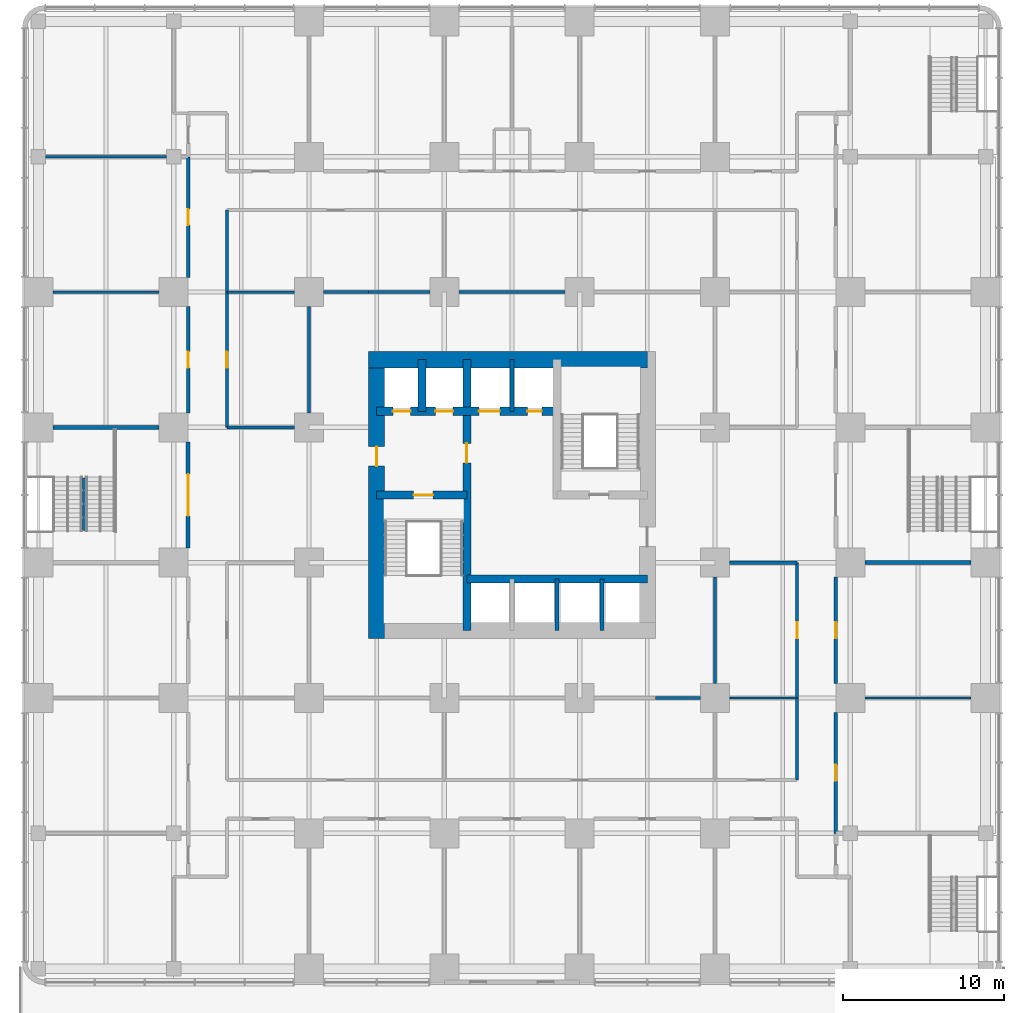
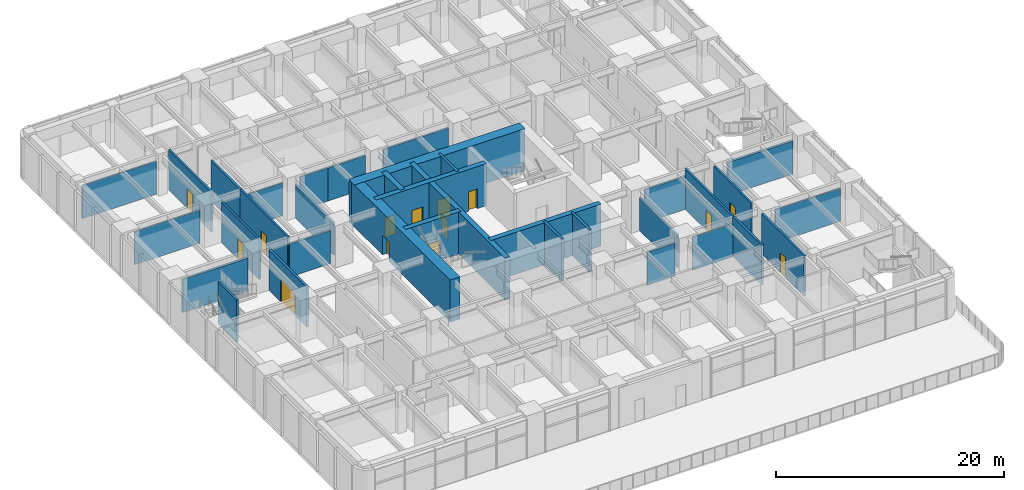
# One storey, part 11 of 19: 35 walls, 14 doors, 14 openings.
"""IFC4 building model written with IfcOpenShell, lengths in metres."""

from ifc_helpers import new_model, si_unit, direction, frame, frame_2d, origin, place, context, subcontext, project, spatial, rectangle, extrude, material, layer, layer_set, type_object, element, fill, save


model = new_model("IFC4")

# Units and contexts
model_context = context("Model", 3, precision=1e-05, world=origin(), true_north=direction((0.0, 1.0)))
body_context = subcontext(model_context, "Body", "Model", "MODEL_VIEW")
ifc_project = project(units=[si_unit("LENGTHUNIT", "METRE"), si_unit("AREAUNIT", "SQUARE_METRE"), si_unit("VOLUMEUNIT", "CUBIC_METRE"), si_unit("PLANEANGLEUNIT", "RADIAN"), si_unit("MASSUNIT", "GRAM", prefix="KILO")], contexts=[model_context])

# Site, building, storey
site_placement = place(None, origin())
site = spatial("IfcSite", under=ifc_project, at=site_placement, CompositionType="ELEMENT")
building_placement = place(site_placement, origin())
building = spatial("IfcBuilding", under=site, at=building_placement, Name="Torre Alcanfor", CompositionType="ELEMENT")
storey_placement = place(building_placement, frame((0.0, 0.0, 15.0)))
storey = spatial("IfcBuildingStorey", under=building, at=storey_placement, Name="L03", CompositionType="ELEMENT", Elevation=15.0)

# Walls
ifc_material_1 = material(Name="Concrete block masonry, hollow blocks NMX-C-404 9 MPa", Category="masonry")
ifc_layer_1 = layer(ifc_material_1, 0.14990234375)
ifc_layer_set_1 = layer_set([ifc_layer_1], Name="Classroom partition 150")
wall_type_1 = type_object("IfcWallType", Name="Classroom partition 150", PredefinedType="PARTITIONING", material=ifc_layer_set_1)
wall_1_placement = place(storey_placement, frame((51.300048828125, 16.800048828125, 0.0), z_axis=(0.0, 0.0, 1.0), x_axis=(1.0, 0.0, 0.0)))
element("IfcWall", 1, at=wall_1_placement, inside=storey, type_object=wall_type_1, Name="Partition L03-09 / L03-11", PredefinedType="PARTITIONING", context=body_context, shape_type="SweptSolid", body=[
    extrude(rectangle(XDim=6.599853515625, YDim=0.14990234375, at=frame_2d((3.2998046875, 0.0))), origin(), (0.0, 0.0, 1.0), 3.543212890625),
])
wall_2_placement = place(storey_placement, frame((0.89990234375, 42.0, 0.0), z_axis=(0.0, 0.0, 1.0), x_axis=(1.0, 0.0, 0.0)))
element("IfcWall", 2, at=wall_2_placement, inside=storey, type_object=wall_type_1, Name="Partition L03-12 / L03-14", PredefinedType="PARTITIONING", context=body_context, shape_type="SweptSolid", body=[
    extrude(rectangle(XDim=6.60009765625, YDim=0.14990234375, at=frame_2d((3.300048828125, 0.0))), origin(), (0.0, 0.0, 1.0), 3.543212890625),
])
wall_3_placement = place(storey_placement, frame((0.449951171875, 50.39990234375, 0.0), z_axis=(0.0, 0.0, 1.0), x_axis=(1.0, 0.0, 0.0)))
element("IfcWall", 3, at=wall_3_placement, inside=storey, type_object=wall_type_1, Name="Partition L03-14 / L03-18", PredefinedType="PARTITIONING", context=body_context, shape_type="SweptSolid", body=[
    extrude(rectangle(XDim=7.5, YDim=0.14990234375, at=frame_2d((3.75, 0.0))), origin(), (0.0, 0.0, 1.0), 3.543212890625),
])
wall_4_placement = place(storey_placement, frame((42.89990234375, 16.800048828125, 0.0), z_axis=(0.0, 0.0, 1.0), x_axis=(1.0, 0.0, 0.0)))
element("IfcWall", 4, at=wall_4_placement, inside=storey, type_object=wall_type_1, Name="Partition L03-I03 / L03-I05", PredefinedType="PARTITIONING", context=body_context, shape_type="SweptSolid", body=[
    extrude(rectangle(XDim=4.2001953125, YDim=0.14990234375, at=frame_2d((2.10009765625, 0.0))), origin(), (0.0, 0.0, 1.0), 3.543212890625),
])
wall_5_placement = place(storey_placement, frame((11.699951171875, 42.0, 0.0), z_axis=(0.0, 0.0, 1.0), x_axis=(1.0, 0.0, 0.0)))
element("IfcWall", 5, at=wall_5_placement, inside=storey, type_object=wall_type_1, Name="Partition L03-I06 / L03-I08", PredefinedType="PARTITIONING", context=body_context, shape_type="SweptSolid", body=[
    extrude(rectangle(XDim=4.199951171875, YDim=0.14990234375, at=frame_2d((2.10009765625, 0.0))), origin(), (0.0, 0.0, 1.0), 3.543212890625),
])

# Wall, opening, door
ifc_material_2 = material(Name="Concrete f'c 70 MPa", Category="concrete")
ifc_layer_2 = layer(ifc_material_2, 0.5)
ifc_layer_set_2 = layer_set([ifc_layer_2], Name="Core inner wall 500 f'c70")
wall_type_2 = type_object("IfcWallType", Name="Core inner wall 500 f'c70", PredefinedType="SHEAR", material=ifc_layer_set_2)
wall_6_placement = place(storey_placement, frame((26.60009765625, 21.0, 0.0), z_axis=(0.0, 0.0, 1.0), x_axis=(0.0, 1.0, 0.0)))
wall_6 = element("IfcWall", 6, at=wall_6_placement, inside=storey, type_object=wall_type_2, Name="Core wall X266 L03", PredefinedType="SHEAR", context=body_context, shape_type="SweptSolid", body=[
    extrude(rectangle(XDim=16.800048828125, YDim=0.5, at=frame_2d((8.39990234375, 0.0))), origin(), (0.0, 0.0, 1.0), 4.5),
])
opening_1_placement = place(wall_6_placement, frame((10.39990234375, 0.0, 0.0)))
opening_1 = element("IfcOpeningElement", 7, at=opening_1_placement, cuts=wall_6, Name="Opening D-L1", PredefinedType="OPENING", context=body_context, shape_type="SweptSolid", body=[
    extrude(rectangle(XDim=1.199951171875, YDim=2.10009765625, at=frame_2d((0.60009765625, 1.050048828125))), frame((0.0, 0.260009765625, 0.0), z_axis=(0.0, -1.0, 0.0), x_axis=(1.0, 0.0, 0.0)), (0.0, 0.0, 1.0), 0.52001953125),
])
ifc_material_3 = material(Name="Galvanised steel sheet ASTM A653", Category="steel")
door_type_1 = type_object("IfcDoorType", Name="Lobby door FD120 1200x2100", OperationType="SINGLE_SWING_LEFT", PredefinedType="DOOR", material=ifc_material_3)
door_1_placement = place(opening_1_placement, origin())
door_1 = element("IfcDoor", 8, at=door_1_placement, inside=storey, type_object=door_type_1, Name="Lift lobby door L03", OperationType="SINGLE_SWING_LEFT", OverallHeight=2.10009765625, OverallWidth=1.199951171875, PredefinedType="DOOR", context=body_context, shape_type="SweptSolid", body=[
    extrude(rectangle(XDim=1.199951171875, YDim=2.10009765625, at=frame_2d((0.60009765625, 1.050048828125))), frame((0.0, 0.02490234375, 0.0), z_axis=(0.0, -1.0, 0.0), x_axis=(1.0, 0.0, 0.0)), (0.0, 0.0, 1.0), 0.050048828125),
])
fill(opening_1, door_1)

wall_7_placement = place(storey_placement, frame((21.0, 29.39990234375, 0.0), z_axis=(0.0, 0.0, 1.0), x_axis=(1.0, 0.0, 0.0)))
wall_7 = element("IfcWall", 9, at=wall_7_placement, inside=storey, type_object=wall_type_2, Name="Core wall Y294W L03", PredefinedType="SHEAR", context=body_context, shape_type="SweptSolid", body=[
    extrude(rectangle(XDim=5.60009765625, YDim=0.5, at=frame_2d((2.800048828125, 0.0))), origin(), (0.0, 0.0, 1.0), 4.5),
])
opening_2_placement = place(wall_7_placement, frame((2.300048828125, 0.0, 0.0)))
opening_2 = element("IfcOpeningElement", 10, at=opening_2_placement, cuts=wall_7, Name="Opening D-S2", PredefinedType="OPENING", context=body_context, shape_type="SweptSolid", body=[
    extrude(rectangle(XDim=1.199951171875, YDim=2.10009765625, at=frame_2d((0.60009765625, 1.050048828125))), frame((0.0, 0.260009765625, 0.0), z_axis=(0.0, -1.0, 0.0), x_axis=(1.0, 0.0, 0.0)), (0.0, 0.0, 1.0), 0.52001953125),
])
ifc_material_4 = material(Name="Galvanised steel sheet ASTM A653", Category="steel")
door_type_2 = type_object("IfcDoorType", Name="Stair enclosure door FD120 1200x2100", OperationType="SINGLE_SWING_LEFT", PredefinedType="DOOR", material=ifc_material_4)
door_2_placement = place(opening_2_placement, frame((1.199951171875, 0.0, 0.0), z_axis=(0.0, 0.0, 1.0), x_axis=(-1.0, 0.0, 0.0)))
door_2 = element("IfcDoor", 11, at=door_2_placement, inside=storey, type_object=door_type_2, Name="Stair S1 door L03", OperationType="SINGLE_SWING_LEFT", OverallHeight=2.10009765625, OverallWidth=1.199951171875, PredefinedType="DOOR", context=body_context, shape_type="SweptSolid", body=[
    extrude(rectangle(XDim=1.199951171875, YDim=2.10009765625, at=frame_2d((0.599853515625, 1.050048828125))), frame((0.0, 0.025146484375, 0.0), z_axis=(0.0, -1.0, 0.0), x_axis=(1.0, 0.0, 0.0)), (0.0, 0.0, 1.0), 0.050048828125),
])
fill(opening_2, door_2)

# Wall, openings, doors
wall_8_placement = place(storey_placement, frame((21.0, 34.60009765625, 0.0), z_axis=(0.0, 0.0, 1.0), x_axis=(1.0, 0.0, 0.0)))
wall_8 = element("IfcWall", 12, at=wall_8_placement, inside=storey, type_object=wall_type_2, Name="Core wall Y346 L03", PredefinedType="SHEAR", context=body_context, shape_type="SweptSolid", body=[
    extrude(rectangle(XDim=11.199951171875, YDim=0.5, at=frame_2d((5.60009765625, 0.0))), origin(), (0.0, 0.0, 1.0), 4.5),
])
opening_3_placement = place(wall_8_placement, frame((9.35009765625, 0.0, 0.0)))
opening_3 = element("IfcOpeningElement", 13, at=opening_3_placement, cuts=wall_8, Name="Opening D-Q1", PredefinedType="OPENING", context=body_context, shape_type="SweptSolid", body=[
    extrude(rectangle(XDim=0.89990234375, YDim=2.10009765625, at=frame_2d((0.449951171875, 1.050048828125))), frame((0.0, 0.260009765625, 0.0), z_axis=(0.0, -1.0, 0.0), x_axis=(1.0, 0.0, 0.0)), (0.0, 0.0, 1.0), 0.52001953125),
])
opening_4_placement = place(wall_8_placement, frame((1.0, 0.0, 0.0)))
opening_4 = element("IfcOpeningElement", 14, at=opening_4_placement, cuts=wall_8, Name="Opening LD2", PredefinedType="OPENING", context=body_context, shape_type="SweptSolid", body=[
    extrude(rectangle(XDim=1.10009765625, YDim=2.10009765625, at=frame_2d((0.550048828125, 1.050048828125))), frame((0.0, 0.260009765625, 0.0), z_axis=(0.0, -1.0, 0.0), x_axis=(1.0, 0.0, 0.0)), (0.0, 0.0, 1.0), 0.52001953125),
])
opening_5_placement = place(wall_8_placement, frame((3.64990234375, 0.0, 0.0)))
opening_5 = element("IfcOpeningElement", 15, at=opening_5_placement, cuts=wall_8, Name="Opening LD2", PredefinedType="OPENING", context=body_context, shape_type="SweptSolid", body=[
    extrude(rectangle(XDim=1.10009765625, YDim=2.10009765625, at=frame_2d((0.550048828125, 1.050048828125))), frame((0.0, 0.260009765625, 0.0), z_axis=(0.0, -1.0, 0.0), x_axis=(1.0, 0.0, 0.0)), (0.0, 0.0, 1.0), 0.52001953125),
])
opening_6_placement = place(wall_8_placement, frame((6.35009765625, 0.0, 0.0)))
opening_6 = element("IfcOpeningElement", 16, at=opening_6_placement, cuts=wall_8, Name="Opening LD3", PredefinedType="OPENING", context=body_context, shape_type="SweptSolid", body=[
    extrude(rectangle(XDim=1.300048828125, YDim=2.10009765625, at=frame_2d((0.64990234375, 1.050048828125))), frame((0.0, 0.260009765625, 0.0), z_axis=(0.0, -1.0, 0.0), x_axis=(1.0, 0.0, 0.0)), (0.0, 0.0, 1.0), 0.52001953125),
])
ifc_material_5 = material(Name="Galvanised steel sheet ASTM A653", Category="steel")
door_type_3 = type_object("IfcDoorType", Name="Firefighting lift landing door 1100x2100", OperationType="DOUBLE_DOOR_SLIDING", PredefinedType="DOOR", material=ifc_material_5)
door_3_placement = place(opening_4_placement, origin())
door_3 = element("IfcDoor", 17, at=door_3_placement, inside=storey, type_object=door_type_3, Name="Lift landing door FL1 L03", OperationType="DOUBLE_DOOR_SLIDING", OverallHeight=2.10009765625, OverallWidth=1.10009765625, PredefinedType="DOOR", context=body_context, shape_type="SweptSolid", body=[
    extrude(rectangle(XDim=1.10009765625, YDim=2.10009765625, at=frame_2d((0.550048828125, 1.050048828125))), frame((0.0, 0.02490234375, 0.0), z_axis=(0.0, -1.0, 0.0), x_axis=(1.0, 0.0, 0.0)), (0.0, 0.0, 1.0), 0.050048828125),
])
fill(opening_4, door_3)
door_4_placement = place(opening_5_placement, origin())
door_4 = element("IfcDoor", 18, at=door_4_placement, inside=storey, type_object=door_type_3, Name="Lift landing door FL2 L03", OperationType="DOUBLE_DOOR_SLIDING", OverallHeight=2.10009765625, OverallWidth=1.10009765625, PredefinedType="DOOR", context=body_context, shape_type="SweptSolid", body=[
    extrude(rectangle(XDim=1.10009765625, YDim=2.10009765625, at=frame_2d((0.550048828125, 1.050048828125))), frame((0.0, 0.02490234375, 0.0), z_axis=(0.0, -1.0, 0.0), x_axis=(1.0, 0.0, 0.0)), (0.0, 0.0, 1.0), 0.050048828125),
])
fill(opening_5, door_4)
ifc_material_6 = material(Name="Galvanised steel sheet ASTM A653", Category="steel")
door_type_4 = type_object("IfcDoorType", Name="Riser access door FD120 900x2100", OperationType="SINGLE_SWING_LEFT", PredefinedType="DOOR", material=ifc_material_6)
door_5_placement = place(opening_3_placement, origin())
door_5 = element("IfcDoor", 19, at=door_5_placement, inside=storey, type_object=door_type_4, Name="Riser door L03", OperationType="SINGLE_SWING_LEFT", OverallHeight=2.10009765625, OverallWidth=0.89990234375, PredefinedType="DOOR", context=body_context, shape_type="SweptSolid", body=[
    extrude(rectangle(XDim=0.89990234375, YDim=2.10009765625, at=frame_2d((0.449951171875, 1.050048828125))), frame((0.0, 0.02490234375, 0.0), z_axis=(0.0, -1.0, 0.0), x_axis=(1.0, 0.0, 0.0)), (0.0, 0.0, 1.0), 0.050048828125),
])
fill(opening_3, door_5)
ifc_material_7 = material(Name="Galvanised steel sheet ASTM A653", Category="steel")
door_type_5 = type_object("IfcDoorType", Name="Service lift landing door 1300x2100", OperationType="DOUBLE_DOOR_SLIDING", PredefinedType="DOOR", material=ifc_material_7)
door_6_placement = place(opening_6_placement, origin())
door_6 = element("IfcDoor", 20, at=door_6_placement, inside=storey, type_object=door_type_5, Name="Lift landing door SL1 L03", OperationType="DOUBLE_DOOR_SLIDING", OverallHeight=2.10009765625, OverallWidth=1.300048828125, PredefinedType="DOOR", context=body_context, shape_type="SweptSolid", body=[
    extrude(rectangle(XDim=1.300048828125, YDim=2.10009765625, at=frame_2d((0.64990234375, 1.050048828125))), frame((0.0, 0.02490234375, 0.0), z_axis=(0.0, -1.0, 0.0), x_axis=(1.0, 0.0, 0.0)), (0.0, 0.0, 1.0), 0.050048828125),
])
fill(opening_6, door_6)

# Walls
wall_9_placement = place(storey_placement, frame((23.800048828125, 34.60009765625, 0.0), z_axis=(0.0, 0.0, 1.0), x_axis=(0.0, 1.0, 0.0)))
element("IfcWall", 21, at=wall_9_placement, inside=storey, type_object=wall_type_2, Name="Core wall X238 L03", PredefinedType="SHEAR", context=body_context, shape_type="SweptSolid", body=[
    extrude(rectangle(XDim=3.199951171875, YDim=0.5, at=frame_2d((1.60009765625, 0.0))), origin(), (0.0, 0.0, 1.0), 4.5),
])
wall_10_placement = place(storey_placement, frame((26.60009765625, 24.199951171875, 0.0), z_axis=(0.0, 0.0, 1.0), x_axis=(1.0, 0.0, 0.0)))
element("IfcWall", 22, at=wall_10_placement, inside=storey, type_object=wall_type_2, Name="Core wall Y242 L03", PredefinedType="SHEAR", context=body_context, shape_type="SweptSolid", body=[
    extrude(rectangle(XDim=11.199951171875, YDim=0.5, at=frame_2d((5.60009765625, 0.0))), origin(), (0.0, 0.0, 1.0), 4.5),
])
ifc_material_8 = material(Name="Concrete f'c 70 MPa", Category="concrete")
ifc_layer_3 = layer(ifc_material_8, 0.25)
ifc_layer_set_3 = layer_set([ifc_layer_3], Name="Core shaft wall 250 f'c70")
wall_type_3 = type_object("IfcWallType", Name="Core shaft wall 250 f'c70", PredefinedType="SHEAR", material=ifc_layer_set_3)
for number, where, z_axis, x_axis, name in (
    (23, (32.199951171875, 21.0, 0.0), (0.0, 0.0, 1.0), (0.0, 1.0, 0.0), "Core wall X322S L03"),
    (24, (35.0, 21.0, 0.0), (0.0, 0.0, 1.0), (0.0, 1.0, 0.0), "Core wall X350S L03"),
    (25, (29.39990234375, 34.60009765625, 0.0), (0.0, 0.0, 1.0), (0.0, 1.0, 0.0), "Core wall X294N L03"),
):
    element("IfcWall", number, at=place(storey_placement, frame(where, z_axis=z_axis, x_axis=x_axis)), inside=storey, type_object=wall_type_3, Name=name, PredefinedType="SHEAR", context=body_context, shape_type="SweptSolid", body=[
        extrude(rectangle(XDim=3.199951171875, YDim=0.25, at=frame_2d((1.60009765625, 0.0))), origin(), (0.0, 0.0, 1.0), 4.5),
    ])
ifc_material_9 = material(Name="Concrete f'c 70 MPa", Category="concrete")
ifc_layer_4 = layer(ifc_material_9, 1.0)
ifc_layer_set_4 = layer_set([ifc_layer_4], Name="Core wall 1000 f'c70")
wall_type_4 = type_object("IfcWallType", Name="Core wall 1000 f'c70", PredefinedType="SHEAR", material=ifc_layer_set_4)
wall_11_placement = place(storey_placement, frame((37.800048828125, 37.800048828125, 0.0), z_axis=(0.0, 0.0, 1.0), x_axis=(-1.0, 0.0, 0.0)))
element("IfcWall", 26, at=wall_11_placement, inside=storey, type_object=wall_type_4, Name="Core wall OUT-N L03", PredefinedType="SHEAR", context=body_context, shape_type="SweptSolid", body=[
    extrude(rectangle(XDim=17.300048828125, YDim=1.0, at=frame_2d((8.64990234375, 0.0))), origin(), (0.0, 0.0, 1.0), 4.5),
])

# Wall, opening, door
wall_12_placement = place(storey_placement, frame((21.0, 37.800048828125, 0.0), z_axis=(0.0, 0.0, 1.0), x_axis=(0.0, -1.0, 0.0)))
wall_12 = element("IfcWall", 27, at=wall_12_placement, inside=storey, type_object=wall_type_4, Name="Core wall OUT-W L03", PredefinedType="SHEAR", context=body_context, shape_type="SweptSolid", body=[
    extrude(rectangle(XDim=17.300048828125, YDim=1.0, at=frame_2d((8.64990234375, 0.0))), origin(), (0.0, 0.0, 1.0), 4.5),
])
opening_7_placement = place(wall_12_placement, frame((5.39990234375, 0.0, 0.0)))
opening_7 = element("IfcOpeningElement", 28, at=opening_7_placement, cuts=wall_12, Name="Opening D-L1", PredefinedType="OPENING", context=body_context, shape_type="SweptSolid", body=[
    extrude(rectangle(XDim=1.199951171875, YDim=2.10009765625, at=frame_2d((0.60009765625, 1.050048828125))), frame((0.0, 0.510009765625, 0.0), z_axis=(0.0, -1.0, 0.0), x_axis=(1.0, 0.0, 0.0)), (0.0, 0.0, 1.0), 1.02001953125),
])
door_7_placement = place(opening_7_placement, origin())
door_7 = element("IfcDoor", 29, at=door_7_placement, inside=storey, type_object=door_type_1, Name="Firefighting lobby door L03", OperationType="SINGLE_SWING_LEFT", OverallHeight=2.10009765625, OverallWidth=1.199951171875, PredefinedType="DOOR", context=body_context, shape_type="SweptSolid", body=[
    extrude(rectangle(XDim=1.199951171875, YDim=2.10009765625, at=frame_2d((0.60009765625, 1.050048828125))), frame((0.0, 0.02490234375, 0.0), z_axis=(0.0, -1.0, 0.0), x_axis=(1.0, 0.0, 0.0)), (0.0, 0.0, 1.0), 0.050048828125),
])
fill(opening_7, door_7)

ifc_material_10 = material(Name="Concrete block masonry, hollow blocks NMX-C-404 9 MPa", Category="masonry")
ifc_layer_5 = layer(ifc_material_10, 0.199951171875)
ifc_layer_set_5 = layer_set([ifc_layer_5], Name="School corridor wall 200")
wall_type_5 = type_object("IfcWallType", Name="School corridor wall 200", PredefinedType="PARTITIONING", material=ifc_layer_set_5)
wall_13_placement = place(storey_placement, frame((49.5, 8.39990234375, 0.0), z_axis=(0.0, 0.0, 1.0), x_axis=(0.0, 1.0, 0.0)))
wall_13 = element("IfcWall", 30, at=wall_13_placement, inside=storey, type_object=wall_type_5, Name="Partition L03-09 / L03-CORR", PredefinedType="PARTITIONING", context=body_context, shape_type="SweptSolid", body=[
    extrude(rectangle(XDim=7.5, YDim=0.199951171875, at=frame_2d((3.75, 0.0))), origin(), (0.0, 0.0, 1.0), 4.300048828125),
])
opening_8_placement = place(wall_13_placement, frame((3.25, 0.0, 0.0)))
opening_8 = element("IfcOpeningElement", 31, at=opening_8_placement, cuts=wall_13, Name="Opening D-C1", PredefinedType="OPENING", context=body_context, shape_type="SweptSolid", body=[
    extrude(rectangle(XDim=1.0, YDim=2.10009765625, at=frame_2d((0.5, 1.050048828125))), frame((0.0, 0.10986328125, 0.0), z_axis=(0.0, -1.0, 0.0), x_axis=(1.0, 0.0, 0.0)), (0.0, 0.0, 1.0), 0.219970703125),
])
ifc_material_11 = material(Name="Timber", Category="wood")
door_type_6 = type_object("IfcDoorType", Name="Classroom door 1000x2100", OperationType="SINGLE_SWING_RIGHT", PredefinedType="DOOR", material=ifc_material_11)
door_8_placement = place(opening_8_placement, frame((1.0, 0.0, 0.0), z_axis=(0.0, 0.0, 1.0), x_axis=(-1.0, 0.0, 0.0)))
door_8 = element("IfcDoor", 32, at=door_8_placement, inside=storey, type_object=door_type_6, Name="Door L03-09 classroom", OperationType="SINGLE_SWING_RIGHT", OverallHeight=2.10009765625, OverallWidth=1.0, PredefinedType="DOOR", context=body_context, shape_type="SweptSolid", body=[
    extrude(rectangle(XDim=1.0, YDim=2.10009765625, at=frame_2d((0.5, 1.050048828125))), frame((0.0, 0.025146484375, 0.0), z_axis=(0.0, -1.0, 0.0), x_axis=(1.0, 0.0, 0.0)), (0.0, 0.0, 1.0), 0.050048828125),
])
fill(opening_8, door_8)

wall_14_placement = place(storey_placement, frame((49.5, 17.699951171875, 0.0), z_axis=(0.0, 0.0, 1.0), x_axis=(0.0, 1.0, 0.0)))
wall_14 = element("IfcWall", 33, at=wall_14_placement, inside=storey, type_object=wall_type_5, Name="Partition L03-11 / L03-CORR", PredefinedType="PARTITIONING", context=body_context, shape_type="SweptSolid", body=[
    extrude(rectangle(XDim=6.60009765625, YDim=0.199951171875, at=frame_2d((3.300048828125, 0.0))), origin(), (0.0, 0.0, 1.0), 4.300048828125),
])
opening_9_placement = place(wall_14_placement, frame((2.800048828125, 0.0, 0.0)))
opening_9 = element("IfcOpeningElement", 34, at=opening_9_placement, cuts=wall_14, Name="Opening D-C1", PredefinedType="OPENING", context=body_context, shape_type="SweptSolid", body=[
    extrude(rectangle(XDim=1.0, YDim=2.10009765625, at=frame_2d((0.5, 1.050048828125))), frame((0.0, 0.10986328125, 0.0), z_axis=(0.0, -1.0, 0.0), x_axis=(1.0, 0.0, 0.0)), (0.0, 0.0, 1.0), 0.219970703125),
])
door_9_placement = place(opening_9_placement, frame((1.0, 0.0, 0.0), z_axis=(0.0, 0.0, 1.0), x_axis=(-1.0, 0.0, 0.0)))
door_9 = element("IfcDoor", 35, at=door_9_placement, inside=storey, type_object=door_type_6, Name="Door L03-11 classroom", OperationType="SINGLE_SWING_RIGHT", OverallHeight=2.10009765625, OverallWidth=1.0, PredefinedType="DOOR", context=body_context, shape_type="SweptSolid", body=[
    extrude(rectangle(XDim=1.0, YDim=2.10009765625, at=frame_2d((0.5, 1.050048828125))), frame((0.0, 0.025146484375, 0.0), z_axis=(0.0, -1.0, 0.0), x_axis=(1.0, 0.0, 0.0)), (0.0, 0.0, 1.0), 0.050048828125),
])
fill(opening_9, door_9)

wall_15_placement = place(storey_placement, frame((9.300048828125, 41.10009765625, 0.0), z_axis=(0.0, 0.0, 1.0), x_axis=(0.0, -1.0, 0.0)))
wall_15 = element("IfcWall", 36, at=wall_15_placement, inside=storey, type_object=wall_type_5, Name="Partition L03-12 / L03-CORR", PredefinedType="PARTITIONING", context=body_context, shape_type="SweptSolid", body=[
    extrude(rectangle(XDim=6.60009765625, YDim=0.199951171875, at=frame_2d((3.300048828125, 0.0))), origin(), (0.0, 0.0, 1.0), 4.300048828125),
])
opening_10_placement = place(wall_15_placement, frame((2.800048828125, 0.0, 0.0)))
opening_10 = element("IfcOpeningElement", 37, at=opening_10_placement, cuts=wall_15, Name="Opening D-C1", PredefinedType="OPENING", context=body_context, shape_type="SweptSolid", body=[
    extrude(rectangle(XDim=1.0, YDim=2.10009765625, at=frame_2d((0.5, 1.050048828125))), frame((0.0, 0.10986328125, 0.0), z_axis=(0.0, -1.0, 0.0), x_axis=(1.0, 0.0, 0.0)), (0.0, 0.0, 1.0), 0.219970703125),
])
door_10_placement = place(opening_10_placement, frame((1.0, 0.0, 0.0), z_axis=(0.0, 0.0, 1.0), x_axis=(-1.0, 0.0, 0.0)))
door_10 = element("IfcDoor", 38, at=door_10_placement, inside=storey, type_object=door_type_6, Name="Door L03-12 classroom", OperationType="SINGLE_SWING_RIGHT", OverallHeight=2.10009765625, OverallWidth=1.0, PredefinedType="DOOR", context=body_context, shape_type="SweptSolid", body=[
    extrude(rectangle(XDim=1.0, YDim=2.10009765625, at=frame_2d((0.5, 1.050048828125))), frame((0.0, 0.025146484375, 0.0), z_axis=(0.0, -1.0, 0.0), x_axis=(1.0, 0.0, 0.0)), (0.0, 0.0, 1.0), 0.050048828125),
])
fill(opening_10, door_10)

wall_16_placement = place(storey_placement, frame((9.300048828125, 50.39990234375, 0.0), z_axis=(0.0, 0.0, 1.0), x_axis=(0.0, -1.0, 0.0)))
wall_16 = element("IfcWall", 39, at=wall_16_placement, inside=storey, type_object=wall_type_5, Name="Partition L03-14 / L03-CORR", PredefinedType="PARTITIONING", context=body_context, shape_type="SweptSolid", body=[
    extrude(rectangle(XDim=7.5, YDim=0.199951171875, at=frame_2d((3.75, 0.0))), origin(), (0.0, 0.0, 1.0), 4.300048828125),
])
opening_11_placement = place(wall_16_placement, frame((3.25, 0.0, 0.0)))
opening_11 = element("IfcOpeningElement", 40, at=opening_11_placement, cuts=wall_16, Name="Opening D-C1", PredefinedType="OPENING", context=body_context, shape_type="SweptSolid", body=[
    extrude(rectangle(XDim=1.0, YDim=2.10009765625, at=frame_2d((0.5, 1.050048828125))), frame((0.0, 0.10986328125, 0.0), z_axis=(0.0, -1.0, 0.0), x_axis=(1.0, 0.0, 0.0)), (0.0, 0.0, 1.0), 0.219970703125),
])
door_11_placement = place(opening_11_placement, frame((1.0, 0.0, 0.0), z_axis=(0.0, 0.0, 1.0), x_axis=(-1.0, 0.0, 0.0)))
door_11 = element("IfcDoor", 41, at=door_11_placement, inside=storey, type_object=door_type_6, Name="Door L03-14 classroom", OperationType="SINGLE_SWING_RIGHT", OverallHeight=2.10009765625, OverallWidth=1.0, PredefinedType="DOOR", context=body_context, shape_type="SweptSolid", body=[
    extrude(rectangle(XDim=1.0, YDim=2.10009765625, at=frame_2d((0.5, 1.050048828125))), frame((0.0, 0.025146484375, 0.0), z_axis=(0.0, -1.0, 0.0), x_axis=(1.0, 0.0, 0.0)), (0.0, 0.0, 1.0), 0.050048828125),
])
fill(opening_11, door_11)

# Wall
wall_17_placement = place(storey_placement, frame((47.10009765625, 11.699951171875, 0.0), z_axis=(0.0, 0.0, 1.0), x_axis=(0.0, 1.0, 0.0)))
element("IfcWall", 42, at=wall_17_placement, inside=storey, type_object=wall_type_5, Name="Partition L03-CORR / L03-I03", PredefinedType="PARTITIONING", context=body_context, shape_type="SweptSolid", body=[
    extrude(rectangle(XDim=5.10009765625, YDim=0.199951171875, at=frame_2d((2.550048828125, 0.0))), origin(), (0.0, 0.0, 1.0), 4.300048828125),
])

# Wall, opening, door
wall_18_placement = place(storey_placement, frame((47.10009765625, 16.800048828125, 0.0), z_axis=(0.0, 0.0, 1.0), x_axis=(0.0, 1.0, 0.0)))
wall_18 = element("IfcWall", 43, at=wall_18_placement, inside=storey, type_object=wall_type_5, Name="Partition L03-CORR / L03-I05", PredefinedType="PARTITIONING", context=body_context, shape_type="SweptSolid", body=[
    extrude(rectangle(XDim=8.39990234375, YDim=0.199951171875, at=frame_2d((4.199951171875, 0.0))), origin(), (0.0, 0.0, 1.0), 4.300048828125),
])
opening_12_placement = place(wall_18_placement, frame((3.699951171875, 0.0, 0.0)))
opening_12 = element("IfcOpeningElement", 44, at=opening_12_placement, cuts=wall_18, Name="Opening D-C1", PredefinedType="OPENING", context=body_context, shape_type="SweptSolid", body=[
    extrude(rectangle(XDim=1.0, YDim=2.10009765625, at=frame_2d((0.5, 1.050048828125))), frame((0.0, 0.10986328125, 0.0), z_axis=(0.0, -1.0, 0.0), x_axis=(1.0, 0.0, 0.0)), (0.0, 0.0, 1.0), 0.219970703125),
])
door_12_placement = place(opening_12_placement, origin())
door_12 = element("IfcDoor", 45, at=door_12_placement, inside=storey, type_object=door_type_6, Name="Door L03-I05 group room", OperationType="SINGLE_SWING_LEFT", OverallHeight=2.10009765625, OverallWidth=1.0, PredefinedType="DOOR", context=body_context, shape_type="SweptSolid", body=[
    extrude(rectangle(XDim=1.0, YDim=2.10009765625, at=frame_2d((0.5, 1.050048828125))), frame((0.0, 0.02490234375, 0.0), z_axis=(0.0, -1.0, 0.0), x_axis=(1.0, 0.0, 0.0)), (0.0, 0.0, 1.0), 0.050048828125),
])
fill(opening_12, door_12)

wall_19_placement = place(storey_placement, frame((11.699951171875, 42.0, 0.0), z_axis=(0.0, 0.0, 1.0), x_axis=(0.0, -1.0, 0.0)))
wall_19 = element("IfcWall", 46, at=wall_19_placement, inside=storey, type_object=wall_type_5, Name="Partition L03-CORR / L03-I06", PredefinedType="PARTITIONING", context=body_context, shape_type="SweptSolid", body=[
    extrude(rectangle(XDim=8.39990234375, YDim=0.199951171875, at=frame_2d((4.199951171875, 0.0))), origin(), (0.0, 0.0, 1.0), 4.300048828125),
])
opening_13_placement = place(wall_19_placement, frame((3.699951171875, 0.0, 0.0)))
opening_13 = element("IfcOpeningElement", 47, at=opening_13_placement, cuts=wall_19, Name="Opening D-C1", PredefinedType="OPENING", context=body_context, shape_type="SweptSolid", body=[
    extrude(rectangle(XDim=1.0, YDim=2.10009765625, at=frame_2d((0.5, 1.050048828125))), frame((0.0, 0.10986328125, 0.0), z_axis=(0.0, -1.0, 0.0), x_axis=(1.0, 0.0, 0.0)), (0.0, 0.0, 1.0), 0.219970703125),
])
door_13_placement = place(opening_13_placement, origin())
door_13 = element("IfcDoor", 48, at=door_13_placement, inside=storey, type_object=door_type_6, Name="Door L03-I06 group room", OperationType="SINGLE_SWING_LEFT", OverallHeight=2.10009765625, OverallWidth=1.0, PredefinedType="DOOR", context=body_context, shape_type="SweptSolid", body=[
    extrude(rectangle(XDim=1.0, YDim=2.10009765625, at=frame_2d((0.5, 1.050048828125))), frame((0.0, 0.02490234375, 0.0), z_axis=(0.0, -1.0, 0.0), x_axis=(1.0, 0.0, 0.0)), (0.0, 0.0, 1.0), 0.050048828125),
])
fill(opening_13, door_13)

# Walls
wall_20_placement = place(storey_placement, frame((11.699951171875, 47.10009765625, 0.0), z_axis=(0.0, 0.0, 1.0), x_axis=(0.0, -1.0, 0.0)))
element("IfcWall", 49, at=wall_20_placement, inside=storey, type_object=wall_type_5, Name="Partition L03-CORR / L03-I08", PredefinedType="PARTITIONING", context=body_context, shape_type="SweptSolid", body=[
    extrude(rectangle(XDim=5.10009765625, YDim=0.199951171875, at=frame_2d((2.550048828125, 0.0))), origin(), (0.0, 0.0, 1.0), 4.300048828125),
])
wall_21_placement = place(storey_placement, frame((11.699951171875, 33.60009765625, 0.0), z_axis=(0.0, 0.0, 1.0), x_axis=(1.0, 0.0, 0.0)))
element("IfcWall", 50, at=wall_21_placement, inside=storey, type_object=wall_type_5, Name="Partition L03-LLW / L03-I06", PredefinedType="PARTITIONING", context=body_context, shape_type="SweptSolid", body=[
    extrude(rectangle(XDim=4.199951171875, YDim=0.199951171875, at=frame_2d((2.10009765625, 0.0))), origin(), (0.0, 0.0, 1.0), 3.543212890625),
])
wall_22_placement = place(storey_placement, frame((16.800048828125, 34.5, 0.0), z_axis=(0.0, 0.0, 1.0), x_axis=(0.0, 1.0, 0.0)))
element("IfcWall", 51, at=wall_22_placement, inside=storey, type_object=wall_type_5, Name="Partition L03-LLW / L03-I06", PredefinedType="PARTITIONING", context=body_context, shape_type="SweptSolid", body=[
    extrude(rectangle(XDim=6.60009765625, YDim=0.199951171875, at=frame_2d((3.300048828125, 0.0))), origin(), (0.0, 0.0, 1.0), 3.543212890625),
])
for number, where, z_axis, x_axis, name in (
    (52, (17.699951171875, 42.0, 0.0), (0.0, 0.0, 1.0), (1.0, 0.0, 0.0), "Partition L03-LLW / L03-I08"),
    (53, (41.10009765625, 16.800048828125, 0.0), (0.0, 0.0, 1.0), (-1.0, 0.0, 0.0), "Partition L03-LLE / L03-I02"),
):
    element("IfcWall", number, at=place(storey_placement, frame(where, z_axis=z_axis, x_axis=x_axis)), inside=storey, type_object=wall_type_5, Name=name, PredefinedType="PARTITIONING", context=body_context, shape_type="SweptSolid", body=[
        extrude(rectangle(XDim=2.800048828125, YDim=0.199951171875, at=frame_2d((1.39990234375, 0.0))), origin(), (0.0, 0.0, 1.0), 3.543212890625),
    ])
wall_23_placement = place(storey_placement, frame((42.0, 24.300048828125, 0.0), z_axis=(0.0, 0.0, 1.0), x_axis=(0.0, -1.0, 0.0)))
element("IfcWall", 54, at=wall_23_placement, inside=storey, type_object=wall_type_5, Name="Partition L03-LLE / L03-I05", PredefinedType="PARTITIONING", context=body_context, shape_type="SweptSolid", body=[
    extrude(rectangle(XDim=6.60009765625, YDim=0.199951171875, at=frame_2d((3.300048828125, 0.0))), origin(), (0.0, 0.0, 1.0), 3.543212890625),
])
wall_24_placement = place(storey_placement, frame((47.10009765625, 25.199951171875, 0.0), z_axis=(0.0, 0.0, 1.0), x_axis=(-1.0, 0.0, 0.0)))
element("IfcWall", 55, at=wall_24_placement, inside=storey, type_object=wall_type_5, Name="Partition L03-LLE / L03-I05", PredefinedType="PARTITIONING", context=body_context, shape_type="SweptSolid", body=[
    extrude(rectangle(XDim=4.2001953125, YDim=0.199951171875, at=frame_2d((2.10009765625, 0.0))), origin(), (0.0, 0.0, 1.0), 3.543212890625),
])
wall_25_placement = place(storey_placement, frame((20.5, 42.0, 0.0), z_axis=(0.0, 0.0, 1.0), x_axis=(1.0, 0.0, 0.0)))
element("IfcWall", 56, at=wall_25_placement, inside=storey, type_object=wall_type_5, Name="Partition L03-LLE / L03-I08", PredefinedType="PARTITIONING", context=body_context, shape_type="SweptSolid", body=[
    extrude(rectangle(XDim=3.800048828125, YDim=0.199951171875, at=frame_2d((1.89990234375, 0.0))), origin(), (0.0, 0.0, 1.0), 3.543212890625),
])
wall_26_placement = place(storey_placement, frame((26.10009765625, 42.0, 0.0), z_axis=(0.0, 0.0, 1.0), x_axis=(1.0, 0.0, 0.0)))
element("IfcWall", 57, at=wall_26_placement, inside=storey, type_object=wall_type_5, Name="Partition L03-LLE / L03-I09", PredefinedType="PARTITIONING", context=body_context, shape_type="SweptSolid", body=[
    extrude(rectangle(XDim=6.599853515625, YDim=0.199951171875, at=frame_2d((3.2998046875, 0.0))), origin(), (0.0, 0.0, 1.0), 3.543212890625),
])
ifc_material_12 = material(Name="Reinforced concrete block masonry, hollow blocks NMX-C-404 9 MPa", Category="masonry")
ifc_layer_6 = layer(ifc_material_12, 0.25)
ifc_layer_set_6 = layer_set([ifc_layer_6], Name="Stair enclosure wall 250 EI 120")
wall_type_6 = type_object("IfcWallType", Name="Stair enclosure wall 250 EI 120", PredefinedType="SOLIDWALL", material=ifc_layer_set_6)
wall_27_placement = place(storey_placement, frame((0.89990234375, 33.60009765625, 0.0), z_axis=(0.0, 0.0, 1.0), x_axis=(1.0, 0.0, 0.0)))
element("IfcWall", 58, at=wall_27_placement, inside=storey, type_object=wall_type_6, Name="Partition L03-SS1 / L03-12", PredefinedType="SOLIDWALL", context=body_context, shape_type="SweptSolid", body=[
    extrude(rectangle(XDim=6.60009765625, YDim=0.25, at=frame_2d((3.300048828125, 0.0))), origin(), (0.0, 0.0, 1.0), 3.543212890625),
])

# Wall, opening, door
wall_28_placement = place(storey_placement, frame((9.300048828125, 32.699951171875, 0.0), z_axis=(0.0, 0.0, 1.0), x_axis=(0.0, -1.0, 0.0)))
wall_28 = element("IfcWall", 59, at=wall_28_placement, inside=storey, type_object=wall_type_6, Name="Partition L03-SS1 / L03-CORR", PredefinedType="SOLIDWALL", context=body_context, shape_type="SweptSolid", body=[
    extrude(rectangle(XDim=6.599853515625, YDim=0.25, at=frame_2d((3.2998046875, 0.0))), origin(), (0.0, 0.0, 1.0), 4.300048828125),
])
opening_14_placement = place(wall_28_placement, frame((2.0, 0.0, 0.0)))
opening_14 = element("IfcOpeningElement", 60, at=opening_14_placement, cuts=wall_28, Name="Opening D-S4", PredefinedType="OPENING", context=body_context, shape_type="SweptSolid", body=[
    extrude(rectangle(XDim=2.60009765625, YDim=2.39990234375, at=frame_2d((1.300048828125, 1.199951171875))), frame((0.0, 0.135009765625, 0.0), z_axis=(0.0, -1.0, 0.0), x_axis=(1.0, 0.0, 0.0)), (0.0, 0.0, 1.0), 0.27001953125),
])
ifc_material_13 = material(Name="Galvanised steel sheet ASTM A653", Category="steel")
door_type_7 = type_object("IfcDoorType", Name="School stair double door FD120 2600x2400", OperationType="DOUBLE_DOOR_SINGLE_SWING", PredefinedType="DOOR", material=ifc_material_13)
door_14_placement = place(opening_14_placement, frame((2.60009765625, 0.0, 0.0), z_axis=(0.0, 0.0, 1.0), x_axis=(-1.0, 0.0, 0.0)))
door_14 = element("IfcDoor", 61, at=door_14_placement, inside=storey, type_object=door_type_7, Name="Door L03-SS1 school stair ss1", OperationType="DOUBLE_DOOR_SINGLE_SWING", OverallHeight=2.39990234375, OverallWidth=2.60009765625, PredefinedType="DOOR", context=body_context, shape_type="SweptSolid", body=[
    extrude(rectangle(XDim=2.60009765625, YDim=2.39990234375, at=frame_2d((1.300048828125, 1.199951171875))), frame((0.0, 0.025146484375, 0.0), z_axis=(0.0, -1.0, 0.0), x_axis=(1.0, 0.0, 0.0)), (0.0, 0.0, 1.0), 0.050048828125),
])
fill(opening_14, door_14)

# Walls
wall_29_placement = place(storey_placement, frame((57.89990234375, 25.199951171875, 0.0), z_axis=(0.0, 0.0, 1.0), x_axis=(-1.0, 0.0, 0.0)))
element("IfcWall", 62, at=wall_29_placement, inside=storey, type_object=wall_type_6, Name="Partition L03-SS2 / L03-11", PredefinedType="SOLIDWALL", context=body_context, shape_type="SweptSolid", body=[
    extrude(rectangle(XDim=6.599853515625, YDim=0.25, at=frame_2d((3.2998046875, 0.0))), origin(), (0.0, 0.0, 1.0), 3.543212890625),
])
ifc_material_14 = material(Name="Concrete f'c 35 MPa", Category="concrete")
ifc_layer_7 = layer(ifc_material_14, 0.199951171875)
ifc_layer_set_7 = layer_set([ifc_layer_7], Name="Stair spine wall 200")
wall_type_7 = type_object("IfcWallType", Name="Stair spine wall 200", PredefinedType="SOLIDWALL", material=ifc_layer_set_7)
wall_30_placement = place(storey_placement, frame((2.830078125, 27.205078125, 0.0), z_axis=(0.0, 0.0, 1.0), x_axis=(0.0, 1.0, 0.0)))
element("IfcWall", 63, at=wall_30_placement, inside=storey, type_object=wall_type_7, Name="Stair spine wall SS1 L03", PredefinedType="SOLIDWALL", context=body_context, shape_type="SweptSolid", body=[
    extrude(rectangle(XDim=3.260009765625, YDim=0.199951171875, at=frame_2d((1.6298828125, 0.0))), origin(), (0.0, 0.0, 1.0), 4.5),
])

save(model, "model.ifc")
